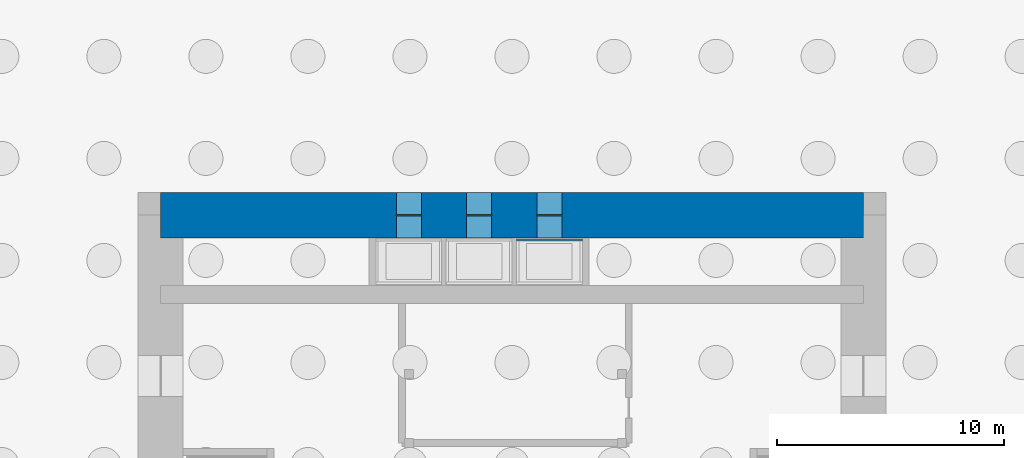
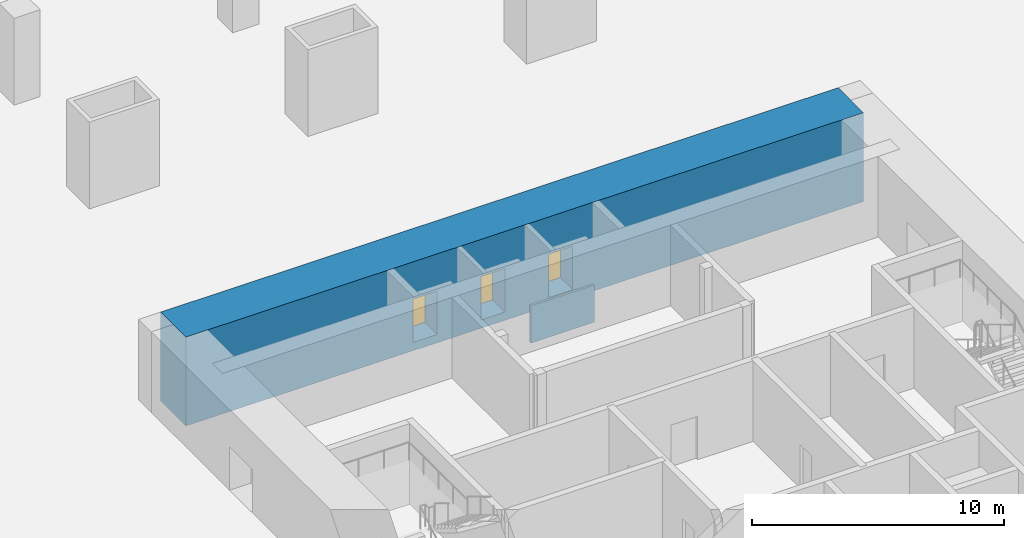
# One storey, part 7 of 11: 3 doors, 2 walls, 3 openings.
"""IFC4 building model written with IfcOpenShell, lengths in metres."""

from ifc_helpers import new_model, si_unit, direction, frame, frame_2d, origin, place, context, subcontext, project, spatial, rectangle, extrude, material, layer, layer_set, type_object, element, fill, save


model = new_model("IFC4")

# Units and contexts
model_context = context("Model", 3, precision=1e-05, world=origin(), true_north=direction((0.0, 1.0)))
body_context = subcontext(model_context, "Body", "Model", "MODEL_VIEW")
ifc_project = project(units=[si_unit("LENGTHUNIT", "METRE"), si_unit("AREAUNIT", "SQUARE_METRE"), si_unit("VOLUMEUNIT", "CUBIC_METRE"), si_unit("PLANEANGLEUNIT", "RADIAN"), si_unit("MASSUNIT", "GRAM", prefix="KILO")], contexts=[model_context])

# Site, building, storey
site_placement = place(None, origin())
site = spatial("IfcSite", under=ifc_project, at=site_placement, CompositionType="ELEMENT")
building_placement = place(site_placement, origin())
building = spatial("IfcBuilding", under=site, at=building_placement, Name="Khuree Lantern Residences", CompositionType="ELEMENT")
storey_placement = place(building_placement, frame((0.0, 0.0, -13.199951171875)))
storey = spatial("IfcBuildingStorey", under=building, at=storey_placement, Name="B3", CompositionType="ELEMENT", Elevation=-13.199951171875)

# Wall, openings, doors
ifc_material_1 = material(Name="Concrete C70/85", Category="concrete")
ifc_layer_1 = layer(ifc_material_1, 2.0)
ifc_layer_set_1 = layer_set([ifc_layer_1], Name="CW2000-C70 CORE WALL C70 2000")
wall_type_1 = type_object("IfcWallType", Name="CW2000-C70 CORE WALL C70 2000", PredefinedType="SHEAR", material=ifc_layer_set_1)
wall_1_placement = place(storey_placement, frame((-15.5, 15.5, -0.400146484375), z_axis=(0.0, 0.0, 1.0), x_axis=(1.0, 0.0, 0.0)))
wall_1 = element("IfcWall", 1, at=wall_1_placement, inside=storey, type_object=wall_type_1, Name="Core wall N", PredefinedType="SHEAR", context=body_context, shape_type="SweptSolid", body=[
    extrude(rectangle(XDim=31.0, YDim=2.0, at=frame_2d((15.5, 0.0))), origin(), (0.0, 0.0, 1.0), 4.300048828125),
])
opening_1_placement = place(wall_1_placement, frame((10.39990234375, 0.0, 0.39990234375)))
opening_1 = element("IfcOpeningElement", 2, at=opening_1_placement, cuts=wall_1, Name="Opening B3-009", PredefinedType="OPENING", context=body_context, shape_type="SweptSolid", body=[
    extrude(rectangle(XDim=1.10009765625, YDim=2.10009765625, at=frame_2d((0.550048828125, 1.050048828125))), frame((0.0, 1.010009765625, 0.0), z_axis=(0.0, -1.0, 0.0), x_axis=(1.0, 0.0, 0.0)), (0.0, 0.0, 1.0), 2.02001953125),
])
opening_2_placement = place(wall_1_placement, frame((13.5, 0.0, 0.39990234375)))
opening_2 = element("IfcOpeningElement", 3, at=opening_2_placement, cuts=wall_1, Name="Opening B3-010", PredefinedType="OPENING", context=body_context, shape_type="SweptSolid", body=[
    extrude(rectangle(XDim=1.10009765625, YDim=2.10009765625, at=frame_2d((0.550048828125, 1.050048828125))), frame((0.0, 1.010009765625, 0.0), z_axis=(0.0, -1.0, 0.0), x_axis=(1.0, 0.0, 0.0)), (0.0, 0.0, 1.0), 2.02001953125),
])
opening_3_placement = place(wall_1_placement, frame((16.60009765625, 0.0, 0.39990234375)))
opening_3 = element("IfcOpeningElement", 4, at=opening_3_placement, cuts=wall_1, Name="Opening B3-011", PredefinedType="OPENING", context=body_context, shape_type="SweptSolid", body=[
    extrude(rectangle(XDim=1.10009765625, YDim=2.10009765625, at=frame_2d((0.550048828125, 1.050048828125))), frame((0.0, 1.010009765625, 0.0), z_axis=(0.0, -1.0, 0.0), x_axis=(1.0, 0.0, 0.0)), (0.0, 0.0, 1.0), 2.02001953125),
])
ifc_material_2 = material(Name="Stainless steel lift landing door", Category="steel")
door_type = type_object("IfcDoorType", Name="LIFT LANDING DOOR 1100X2100 E 60", OperationType="DOUBLE_DOOR_SLIDING", PredefinedType="DOOR", material=ifc_material_2)
door_1_placement = place(opening_1_placement, origin())
door_1 = element("IfcDoor", 5, at=door_1_placement, inside=storey, type_object=door_type, Name="Landing door PL1 B3-009", OperationType="DOUBLE_DOOR_SLIDING", OverallHeight=2.10009765625, OverallWidth=1.10009765625, PredefinedType="DOOR", context=body_context, shape_type="SweptSolid", body=[
    extrude(rectangle(XDim=1.10009765625, YDim=2.10009765625, at=frame_2d((0.550048828125, 1.050048828125))), frame((0.0, 0.02490234375, 0.0), z_axis=(0.0, -1.0, 0.0), x_axis=(1.0, 0.0, 0.0)), (0.0, 0.0, 1.0), 0.050048828125),
])
fill(opening_1, door_1)
door_2_placement = place(opening_2_placement, origin())
door_2 = element("IfcDoor", 6, at=door_2_placement, inside=storey, type_object=door_type, Name="Landing door PL2 B3-010", OperationType="DOUBLE_DOOR_SLIDING", OverallHeight=2.10009765625, OverallWidth=1.10009765625, PredefinedType="DOOR", context=body_context, shape_type="SweptSolid", body=[
    extrude(rectangle(XDim=1.10009765625, YDim=2.10009765625, at=frame_2d((0.550048828125, 1.050048828125))), frame((0.0, 0.02490234375, 0.0), z_axis=(0.0, -1.0, 0.0), x_axis=(1.0, 0.0, 0.0)), (0.0, 0.0, 1.0), 0.050048828125),
])
fill(opening_2, door_2)
door_3_placement = place(opening_3_placement, origin())
door_3 = element("IfcDoor", 7, at=door_3_placement, inside=storey, type_object=door_type, Name="Landing door PL3 B3-011", OperationType="DOUBLE_DOOR_SLIDING", OverallHeight=2.10009765625, OverallWidth=1.10009765625, PredefinedType="DOOR", context=body_context, shape_type="SweptSolid", body=[
    extrude(rectangle(XDim=1.10009765625, YDim=2.10009765625, at=frame_2d((0.550048828125, 1.050048828125))), frame((0.0, 0.02490234375, 0.0), z_axis=(0.0, -1.0, 0.0), x_axis=(1.0, 0.0, 0.0)), (0.0, 0.0, 1.0), 0.050048828125),
])
fill(opening_3, door_3)

# Wall
ifc_material_3 = material(Name="Concrete C40/50", Category="concrete")
ifc_layer_2 = layer(ifc_material_3, 0.10009765625)
ifc_layer_set_2 = layer_set([ifc_layer_2], Name="LIFT PIT WALL PW1 100")
wall_type_2 = type_object("IfcWallType", Name="LIFT PIT WALL PW1 100", PredefinedType="SOLIDWALL", material=ifc_layer_set_2)
wall_2_placement = place(storey_placement, frame((3.10009765625, 14.39990234375, -1.800048828125), z_axis=(0.0, 0.0, 1.0), x_axis=(-1.0, 0.0, 0.0)))
element("IfcWall", 8, at=wall_2_placement, inside=storey, type_object=wall_type_2, Name="Lift PL3 pit wall", PredefinedType="SOLIDWALL", context=body_context, shape_type="SweptSolid", body=[
    extrude(rectangle(XDim=2.900146484375, YDim=0.10009765625, at=frame_2d((1.4501953125, 0.0))), origin(), (0.0, 0.0, 1.0), 1.800048828125),
])

save(model, "model.ifc")
